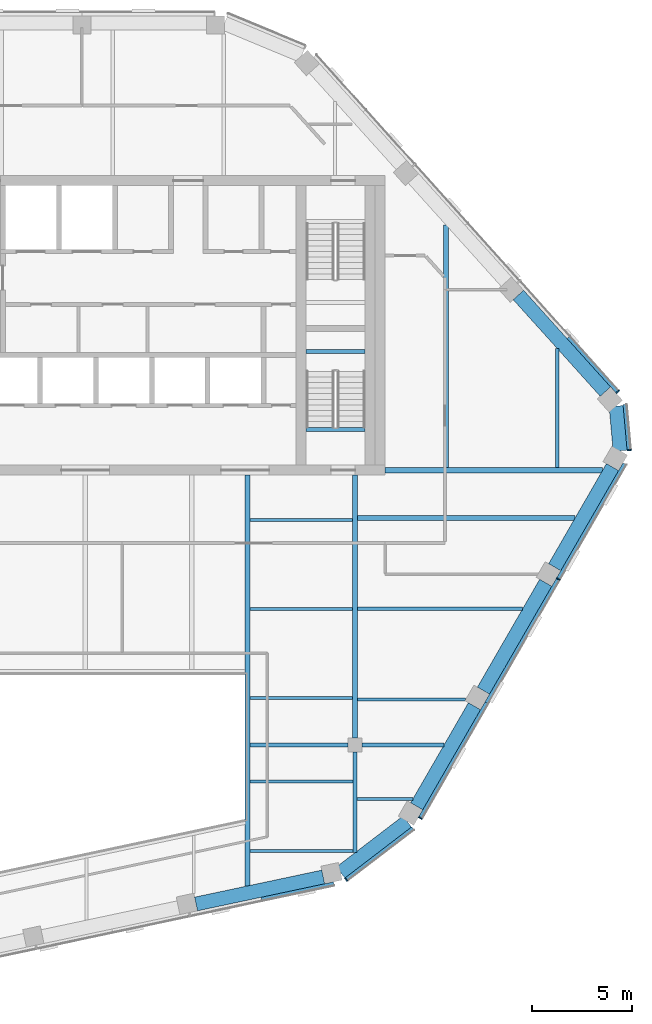
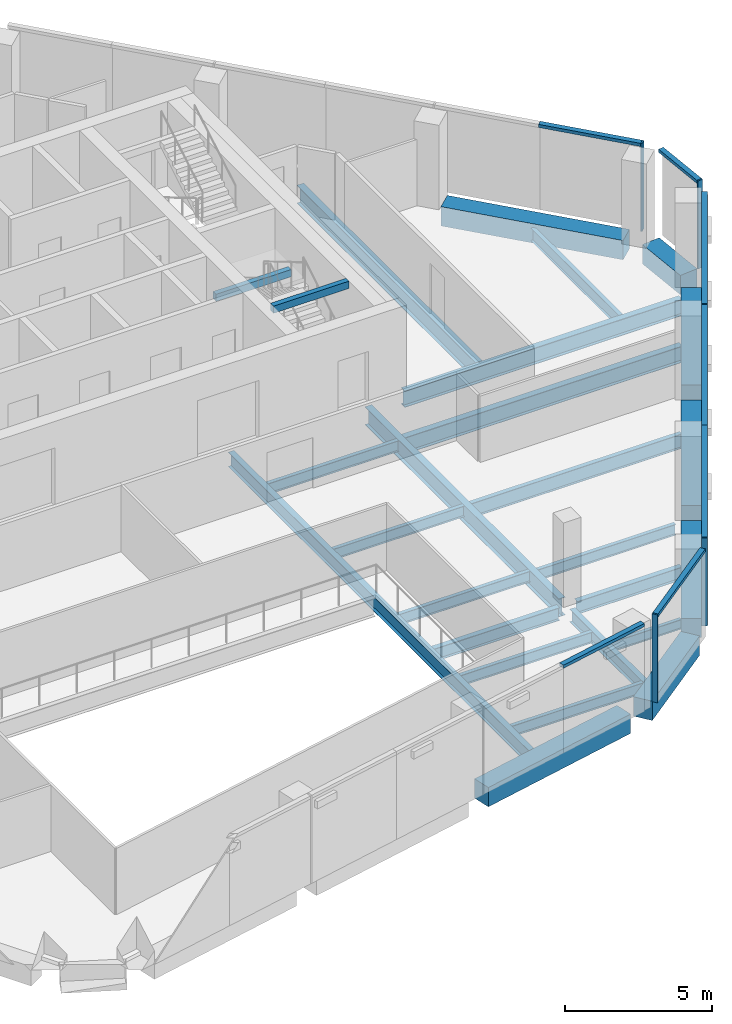
# One storey, part 4 of 15: 26 beams, 12 members, 5 elements without a shape of their own.
"""IFC4 building model written with IfcOpenShell, lengths in metres."""

from ifc_helpers import new_model, si_unit, direction, frame, origin, origin_2d, place, context, subcontext, project, spatial, rectangle, i_section, extrude, material, layer, layer_set, material_profile, profile_set, type_object, element, aggregate, save


model = new_model("IFC4")

# Units and contexts
model_context = context("Model", 3, precision=1e-05, world=origin(), true_north=direction((0.0, 1.0)))
body_context = subcontext(model_context, "Body", "Model", "MODEL_VIEW")
ifc_project = project(units=[si_unit("LENGTHUNIT", "METRE"), si_unit("AREAUNIT", "SQUARE_METRE"), si_unit("VOLUMEUNIT", "CUBIC_METRE"), si_unit("PLANEANGLEUNIT", "RADIAN"), si_unit("MASSUNIT", "GRAM", prefix="KILO")], contexts=[model_context])

# Site, building, storey
site_placement = place(None, origin())
site = spatial("IfcSite", under=ifc_project, at=site_placement, CompositionType="ELEMENT")
building_placement = place(site_placement, origin())
building = spatial("IfcBuilding", under=site, at=building_placement, Name="Isthmus Gate Tower", CompositionType="ELEMENT")
storey_placement = place(building_placement, frame((0.0, 0.0, 290.14990234375)))
storey = spatial("IfcBuildingStorey", under=building, at=storey_placement, Name="L74", CompositionType="ELEMENT", Elevation=290.14990234375)

# Curtain wall, member
ifc_material_1 = material(Name="Aluminium, pale champagne anodised", Category="aluminium")
ifc_layer = layer(ifc_material_1, 0.199951171875)
ifc_layer_set = layer_set([ifc_layer], Name="CW-1 UNITISED CURTAIN WALL 200 DEEP")
curtain_wall_type = type_object("IfcCurtainWallType", Name="CW-1 UNITISED CURTAIN WALL 200 DEEP", PredefinedType="NOTDEFINED", material=ifc_layer_set)
curtain_wall_1_placement = place(storey_placement, origin())
curtain_wall_1 = element("IfcCurtainWall", 1, at=curtain_wall_1_placement, inside=storey, type_object=curtain_wall_type, Name="CW-1 S-SE L74", PredefinedType="NOTDEFINED")
ifc_material_2 = material(Name="Aluminium, pale champagne anodised", Category="aluminium")
ifc_material_profile_1 = material_profile(ifc_material_2, rectangle(XDim=0.06005859375, YDim=0.199951171875, at=origin_2d()), Name="60x200")
ifc_profile_set_1 = profile_set([ifc_material_profile_1], Name="Aluminium, pale champagne anodised")
member_type_1 = type_object("IfcMemberType", Name="CW-1 MULLION 60 X 200", PredefinedType="MULLION", material=ifc_profile_set_1)
member_1_placement = place(storey_placement, frame((13.055908203125, -20.241455078125, 0.0), z_axis=(0.0, 0.0, 1.0), x_axis=(0.794188594387, 0.607671355706, 0.0)))
member_1 = element("IfcMember", 2, at=member_1_placement, type_object=member_type_1, Name="CW-1 mullion", PredefinedType="MULLION", context=body_context, shape_type="SweptSolid", body=[
    extrude(rectangle(XDim=0.06005859375, YDim=0.199951171875, at=origin_2d()), origin(), (0.0, 0.0, 1.0), 3.650146484375),
])

# Curtain wall, members
curtain_wall_2_placement = place(storey_placement, origin())
curtain_wall_2 = element("IfcCurtainWall", 3, at=curtain_wall_2_placement, inside=storey, type_object=curtain_wall_type, Name="CW-1 SE L74", PredefinedType="NOTDEFINED")
member_2_placement = place(storey_placement, frame((16.765380859375, -17.161376953125, 0.0), z_axis=(0.0, 0.0, 1.0), x_axis=(0.5, 0.866025403784, 0.0)))
member_2 = element("IfcMember", 4, at=member_2_placement, type_object=member_type_1, Name="CW-1 mullion", PredefinedType="MULLION", context=body_context, shape_type="SweptSolid", body=[
    extrude(rectangle(XDim=0.06005859375, YDim=0.199951171875, at=origin_2d()), origin(), (0.0, 0.0, 1.0), 3.650146484375),
])
member_3_placement = place(storey_placement, frame((23.675048828125, -5.193603515625, 0.0), z_axis=(0.0, 0.0, 1.0), x_axis=(0.5, 0.866025403784, 0.0)))
member_3 = element("IfcMember", 5, at=member_3_placement, type_object=member_type_1, Name="CW-1 mullion", PredefinedType="MULLION", context=body_context, shape_type="SweptSolid", body=[
    extrude(rectangle(XDim=0.06005859375, YDim=0.199951171875, at=origin_2d()), origin(), (0.0, 0.0, 1.0), 3.650146484375),
])

# Curtain wall, member
curtain_wall_3_placement = place(storey_placement, origin())
curtain_wall_3 = element("IfcCurtainWall", 6, at=curtain_wall_3_placement, inside=storey, type_object=curtain_wall_type, Name="CW-1 SE-NE L74", PredefinedType="NOTDEFINED")
member_4_placement = place(storey_placement, frame((27.21875, 1.258056640625, 0.0), z_axis=(0.0, 0.0, 1.0), x_axis=(-0.089396669717, 0.995996102123, 0.0)))
member_4 = element("IfcMember", 7, at=member_4_placement, type_object=member_type_1, Name="CW-1 mullion", PredefinedType="MULLION", context=body_context, shape_type="SweptSolid", body=[
    extrude(rectangle(XDim=0.06005859375, YDim=0.199951171875, at=origin_2d()), origin(), (0.0, 0.0, 1.0), 3.650146484375),
])

curtain_wall_4_placement = place(storey_placement, origin())
curtain_wall_4 = element("IfcCurtainWall", 8, at=curtain_wall_4_placement, inside=storey, type_object=curtain_wall_type, Name="CW-1 NE L74", PredefinedType="NOTDEFINED")
member_5_placement = place(storey_placement, frame((26.6474609375, 4.17626953125, 0.0), z_axis=(0.0, 0.0, 1.0), x_axis=(-0.669130606359, 0.743144825477, 0.0)))
member_5 = element("IfcMember", 9, at=member_5_placement, type_object=member_type_1, Name="CW-1 mullion", PredefinedType="MULLION", context=body_context, shape_type="SweptSolid", body=[
    extrude(rectangle(XDim=0.06005859375, YDim=0.199951171875, at=origin_2d()), origin(), (0.0, 0.0, 1.0), 3.650146484375),
])

curtain_wall_5_placement = place(storey_placement, origin())
curtain_wall_5 = element("IfcCurtainWall", 10, at=curtain_wall_5_placement, inside=storey, type_object=curtain_wall_type, Name="CW-1 S L74", PredefinedType="NOTDEFINED")
ifc_material_3 = material(Name="Aluminium, pale champagne anodised", Category="aluminium")
ifc_material_profile_2 = material_profile(ifc_material_3, rectangle(XDim=0.199951171875, YDim=0.1298828125, at=origin_2d()), Name="200x130")
ifc_profile_set_2 = profile_set([ifc_material_profile_2], Name="Aluminium, pale champagne anodised")
member_type_2 = type_object("IfcMemberType", Name="CW-1 TRANSOM 200 X 130", PredefinedType="USERDEFINED", material=ifc_profile_set_2)
member_6_placement = place(storey_placement, frame((8.816162109375, -21.228271484375, 3.585205078125), z_axis=(0.978146451283, 0.207917098487, 0.0), x_axis=(-0.207917098487, 0.978146451283, 0.0)))
member_6 = element("IfcMember", 11, at=member_6_placement, type_object=member_type_2, Name="CW-1 transom", ObjectType="TRANSOM", PredefinedType="USERDEFINED", context=body_context, shape_type="SweptSolid", body=[
    extrude(rectangle(XDim=0.199951171875, YDim=0.1298828125, at=origin_2d()), origin(), (0.0, 0.0, 1.0), 3.70361328125),
])
aggregate(curtain_wall_5, [member_6])

# Member
member_7_placement = place(storey_placement, frame((13.07958984375, -20.22314453125, 3.585205078125), z_axis=(0.794225234414, 0.607623466482, 0.0), x_axis=(-0.607623466482, 0.794225234414, 0.0)))
member_7 = element("IfcMember", 12, at=member_7_placement, type_object=member_type_2, Name="CW-1 transom", ObjectType="TRANSOM", PredefinedType="USERDEFINED", context=body_context, shape_type="SweptSolid", body=[
    extrude(rectangle(XDim=0.199951171875, YDim=0.1298828125, at=origin_2d()), origin(), (0.0, 0.0, 1.0), 4.181396484375),
])

aggregate(curtain_wall_1, [member_1, member_7])

member_8_placement = place(storey_placement, frame((16.780517578125, -17.135498046875, 3.585205078125), z_axis=(0.49999574405, 0.866027860944, 0.0), x_axis=(-0.866027860944, 0.49999574405, 0.0)))
member_8 = element("IfcMember", 13, at=member_8_placement, type_object=member_type_2, Name="CW-1 transom", ObjectType="TRANSOM", PredefinedType="USERDEFINED", context=body_context, shape_type="SweptSolid", body=[
    extrude(rectangle(XDim=0.199951171875, YDim=0.1298828125, at=origin_2d()), origin(), (0.0, 0.0, 1.0), 6.62451171875),
])

member_9_placement = place(storey_placement, frame((20.0927734375, -11.3984375, 3.585205078125), z_axis=(0.499985098601, 0.86603400694, 0.0), x_axis=(-0.86603400694, 0.499985098601, 0.0)))
member_9 = element("IfcMember", 14, at=member_9_placement, type_object=member_type_2, Name="CW-1 transom", ObjectType="TRANSOM", PredefinedType="USERDEFINED", context=body_context, shape_type="SweptSolid", body=[
    extrude(rectangle(XDim=0.199951171875, YDim=0.1298828125, at=origin_2d()), origin(), (0.0, 0.0, 1.0), 7.134521484375),
])

member_10_placement = place(storey_placement, frame((23.68994140625, -5.167724609375, 3.585205078125), z_axis=(0.49999574405, 0.866027860944, 0.0), x_axis=(-0.866027860944, 0.49999574405, 0.0)))
member_10 = element("IfcMember", 15, at=member_10_placement, type_object=member_type_2, Name="CW-1 transom", ObjectType="TRANSOM", PredefinedType="USERDEFINED", context=body_context, shape_type="SweptSolid", body=[
    extrude(rectangle(XDim=0.199951171875, YDim=0.1298828125, at=origin_2d()), origin(), (0.0, 0.0, 1.0), 6.62451171875),
])

aggregate(curtain_wall_2, [member_2, member_8, member_9, member_3, member_10])

member_11_placement = place(storey_placement, frame((27.216064453125, 1.287841796875, 3.585205078125), z_axis=(-0.089395362867, 0.995996219419, 0.0), x_axis=(-0.995996219419, -0.089395362867, 0.0)))
member_11 = element("IfcMember", 16, at=member_11_placement, type_object=member_type_2, Name="CW-1 transom", ObjectType="TRANSOM", PredefinedType="USERDEFINED", context=body_context, shape_type="SweptSolid", body=[
    extrude(rectangle(XDim=0.199951171875, YDim=0.1298828125, at=origin_2d()), origin(), (0.0, 0.0, 1.0), 2.258544921875),
])

aggregate(curtain_wall_3, [member_4, member_11])

member_12_placement = place(storey_placement, frame((26.62744140625, 4.198486328125, 3.585205078125), z_axis=(-0.669149818044, 0.743127526749, 0.0), x_axis=(-0.743127526749, -0.669149818044, 0.0)))
member_12 = element("IfcMember", 17, at=member_12_placement, type_object=member_type_2, Name="CW-1 transom", ObjectType="TRANSOM", PredefinedType="USERDEFINED", context=body_context, shape_type="SweptSolid", body=[
    extrude(rectangle(XDim=0.199951171875, YDim=0.1298828125, at=origin_2d()), origin(), (0.0, 0.0, 1.0), 3.643310546875),
])

aggregate(curtain_wall_4, [member_5, member_12])

# Beams
ifc_material_4 = material(Name="Concrete f'c 50 MPa", Category="concrete")
ifc_material_profile_3 = material_profile(ifc_material_4, rectangle(XDim=0.699951171875, YDim=0.800048828125, at=origin_2d()), Name="RC 700X800")
ifc_profile_set_3 = profile_set([ifc_material_profile_3], Name="Concrete f'c 50 MPa")
beam_type_1 = type_object("IfcBeamType", Name="RC SPANDREL 700 X 800", PredefinedType="SPANDREL", material=ifc_profile_set_3)
beam_1_placement = place(storey_placement, frame((21.67822265625, 9.022705078125, -0.39990234375), z_axis=(0.669122265754, -0.743152335307, 0.0), x_axis=(0.743152335307, 0.669122265754, 0.0)))
element("IfcBeam", 18, at=beam_1_placement, inside=storey, type_object=beam_type_1, Name="str-spandrel-L74-03", PredefinedType="SPANDREL", context=body_context, shape_type="SweptSolid", body=[
    extrude(rectangle(XDim=0.699951171875, YDim=0.800048828125, at=origin_2d()), origin(), (0.0, 0.0, 1.0), 6.506591796875),
])
beam_2_placement = place(storey_placement, frame((26.5693359375, 3.459716796875, -0.39990234375), z_axis=(0.089359478208, -0.995999439585, 0.0), x_axis=(0.995999439585, 0.089359478208, 0.0)))
element("IfcBeam", 19, at=beam_2_placement, inside=storey, type_object=beam_type_1, Name="str-spandrel-L74-04", PredefinedType="SPANDREL", context=body_context, shape_type="SweptSolid", body=[
    extrude(rectangle(XDim=0.699951171875, YDim=0.800048828125, at=origin_2d()), origin(), (0.0, 0.0, 1.0), 2.245849609375),
])
beam_3_placement = place(storey_placement, frame((26.387451171875, 0.404541015625, -0.39990234375), z_axis=(-0.499979418648, -0.866037286108, 0.0), x_axis=(0.866037286108, -0.499979418648, 0.0)))
element("IfcBeam", 20, at=beam_3_placement, inside=storey, type_object=beam_type_1, Name="str-spandrel-L74-05", PredefinedType="SPANDREL", context=body_context, shape_type="SweptSolid", body=[
    extrude(rectangle(XDim=0.699951171875, YDim=0.800048828125, at=origin_2d()), origin(), (0.0, 0.0, 1.0), 5.784423828125),
])
beam_4_placement = place(storey_placement, frame((23.045166015625, -5.384521484375, -0.39990234375), z_axis=(-0.499997027648, -0.866027119866, 0.0), x_axis=(0.866027119866, -0.499997027648, 0.0)))
element("IfcBeam", 21, at=beam_4_placement, inside=storey, type_object=beam_type_1, Name="str-spandrel-L74-06", PredefinedType="SPANDREL", context=body_context, shape_type="SweptSolid", body=[
    extrude(rectangle(XDim=0.699951171875, YDim=0.800048828125, at=origin_2d()), origin(), (0.0, 0.0, 1.0), 6.234375),
])
beam_5_placement = place(storey_placement, frame((19.47802734375, -11.56298828125, -0.39990234375), z_axis=(-0.499992798144, -0.866029561738, 0.0), x_axis=(0.866029561738, -0.499992798144, 0.0)))
element("IfcBeam", 22, at=beam_5_placement, inside=storey, type_object=beam_type_1, Name="str-spandrel-L74-07", PredefinedType="SPANDREL", context=body_context, shape_type="SweptSolid", body=[
    extrude(rectangle(XDim=0.699951171875, YDim=0.800048828125, at=origin_2d()), origin(), (0.0, 0.0, 1.0), 5.78466796875),
])
beam_6_placement = place(storey_placement, frame((16.110595703125, -17.337646484375, -0.39990234375), z_axis=(-0.794204252251, -0.607650891307, 0.0), x_axis=(0.607650891307, -0.794204252251, 0.0)))
element("IfcBeam", 23, at=beam_6_placement, inside=storey, type_object=beam_type_1, Name="str-spandrel-L74-08", PredefinedType="SPANDREL", context=body_context, shape_type="SweptSolid", body=[
    extrude(rectangle(XDim=0.699951171875, YDim=0.800048828125, at=origin_2d()), origin(), (0.0, 0.0, 1.0), 4.197021484375),
])
beam_7_placement = place(storey_placement, frame((11.90478515625, -20.11181640625, -0.39990234375), z_axis=(-0.978148646173, -0.207906772352, 0.0), x_axis=(0.207906772352, -0.978148646173, 0.0)))
element("IfcBeam", 24, at=beam_7_placement, inside=storey, type_object=beam_type_1, Name="str-spandrel-L74-09", PredefinedType="SPANDREL", context=body_context, shape_type="SweptSolid", body=[
    extrude(rectangle(XDim=0.699951171875, YDim=0.800048828125, at=origin_2d()), origin(), (0.0, 0.0, 1.0), 6.506591796875),
])
ifc_material_5 = material(Name="Concrete f'c 40 MPa", Category="concrete")
ifc_material_profile_4 = material_profile(ifc_material_5, rectangle(XDim=0.199951171875, YDim=0.300048828125, at=origin_2d()), Name="STAIR LANDING BEAM RC 200 X 300")
ifc_profile_set_4 = profile_set([ifc_material_profile_4], Name="Concrete f'c 40 MPa")
beam_type_2 = type_object("IfcBeamType", Name="STAIR LANDING BEAM RC 200 X 300", PredefinedType="BEAM", material=ifc_profile_set_4)
for number, where, z_axis, x_axis, name in (
    (25, (11.050048828125, 6.199951171875, 1.47509765625), (1.0, 0.0, 0.0), (0.0, 1.0, 0.0), "L74 ST8 landing beam 1"),
    (26, (11.050048828125, 2.2998046875, 3.35009765625), (1.0, 0.0, 0.0), (0.0, 1.0, 0.0), "L74 ST8 floor-edge seat beam"),
):
    element("IfcBeam", number, at=place(storey_placement, frame(where, z_axis=z_axis, x_axis=x_axis)), inside=storey, type_object=beam_type_2, Name=name, PredefinedType="BEAM", context=body_context, shape_type="SweptSolid", body=[
        extrude(rectangle(XDim=0.199951171875, YDim=0.300048828125, at=origin_2d()), origin(), (0.0, 0.0, 1.0), 2.949951171875),
    ])
ifc_material_6 = material(Name="Structural steel ASTM A992 Gr 50", Category="steel")
ifc_material_profile_5 = material_profile(ifc_material_6, i_section(OverallWidth=0.1396484375, OverallDepth=0.4033203125, WebThickness=0.00634765625, FlangeThickness=0.010986328125, at=origin_2d()), Name="W16X31")
ifc_profile_set_5 = profile_set([ifc_material_profile_5], Name="Structural steel ASTM A992 Gr 50")
beam_type_3 = type_object("IfcBeamType", Name="STEEL FLOOR BEAM W16X31", PredefinedType="JOIST", material=ifc_profile_set_5)
beam_8_placement = place(storey_placement, frame((13.604736328125, -16.20947265625, -0.3515625), z_axis=(1.0, 0.0, 0.0), x_axis=(0.0, 1.0, 0.0)))
element("IfcBeam", 27, at=beam_8_placement, inside=storey, type_object=beam_type_3, Name="str-beam-L74-11-00", PredefinedType="JOIST", context=body_context, shape_type="SweptSolid", body=[
    extrude(i_section(OverallWidth=0.1396484375, OverallDepth=0.4033203125, WebThickness=0.00634765625, FlangeThickness=0.010986328125, at=origin_2d()), origin(), (0.0, 0.0, 1.0), 2.78662109375),
])
ifc_material_7 = material(Name="Structural steel ASTM A992 Gr 50", Category="steel")
ifc_material_profile_6 = material_profile(ifc_material_7, i_section(OverallWidth=0.15234375, OverallDepth=0.45068359375, WebThickness=0.0078125, FlangeThickness=0.010986328125, at=origin_2d()), Name="W18X35")
ifc_profile_set_6 = profile_set([ifc_material_profile_6], Name="Structural steel ASTM A992 Gr 50")
beam_type_4 = type_object("IfcBeamType", Name="STEEL FLOOR BEAM W18X35", PredefinedType="JOIST", material=ifc_profile_set_6)
for number, where, z_axis, x_axis, name in (
    (28, (8.228515625, -18.802734375, -0.375244140625), (1.0, 0.0, 0.0), (0.0, 1.0, 0.0), "str-beam-L74-09-00"),
    (29, (8.228515625, -15.33740234375, -0.375244140625), (1.0, 0.0, 0.0), (0.0, 1.0, 0.0), "str-beam-L74-09-01"),
):
    element("IfcBeam", number, at=place(storey_placement, frame(where, z_axis=z_axis, x_axis=x_axis)), inside=storey, type_object=beam_type_4, Name=name, PredefinedType="JOIST", context=body_context, shape_type="SweptSolid", body=[
        extrude(i_section(OverallWidth=0.15234375, OverallDepth=0.45068359375, WebThickness=0.0078125, FlangeThickness=0.010986328125, at=origin_2d()), origin(), (0.0, 0.0, 1.0), 5.166748046875),
    ])
for number, where, z_axis, x_axis, name in (
    (30, (8.228515625, -11.16259765625, -0.375244140625), (1.0, 0.0, 0.0), (0.0, 1.0, 0.0), "str-beam-L74-10-00"),
    (31, (8.228515625, -6.697509765625, -0.375244140625), (1.0, 0.0, 0.0), (0.0, 1.0, 0.0), "str-beam-L74-10-01"),
    (32, (8.228515625, -2.232421875, -0.375244140625), (1.0, 0.0, 0.0), (0.0, 1.0, 0.0), "str-beam-L74-10-02"),
):
    element("IfcBeam", number, at=place(storey_placement, frame(where, z_axis=z_axis, x_axis=x_axis)), inside=storey, type_object=beam_type_4, Name=name, PredefinedType="JOIST", context=body_context, shape_type="SweptSolid", body=[
        extrude(i_section(OverallWidth=0.15234375, OverallDepth=0.45068359375, WebThickness=0.0078125, FlangeThickness=0.010986328125, at=origin_2d()), origin(), (0.0, 0.0, 1.0), 5.1396484375),
    ])
beam_9_placement = place(storey_placement, frame((13.6318359375, -11.2294921875, -0.375244140625), z_axis=(1.0, 0.0, 0.0), x_axis=(0.0, 1.0, 0.0)))
element("IfcBeam", 33, at=beam_9_placement, inside=storey, type_object=beam_type_4, Name="str-beam-L74-12-00", PredefinedType="JOIST", context=body_context, shape_type="SweptSolid", body=[
    extrude(i_section(OverallWidth=0.15234375, OverallDepth=0.45068359375, WebThickness=0.0078125, FlangeThickness=0.010986328125, at=origin_2d()), origin(), (0.0, 0.0, 1.0), 5.40380859375),
])
ifc_material_8 = material(Name="Structural steel ASTM A992 Gr 50", Category="steel")
ifc_material_profile_7 = material_profile(ifc_material_8, i_section(OverallWidth=0.1650390625, OverallDepth=0.52392578125, WebThickness=0.009521484375, FlangeThickness=0.010986328125, at=origin_2d()), Name="W21X44")
ifc_profile_set_7 = profile_set([ifc_material_profile_7], Name="Structural steel ASTM A992 Gr 50")
beam_type_5 = type_object("IfcBeamType", Name="STEEL FLOOR BEAM W21X44", PredefinedType="JOIST", material=ifc_profile_set_7)
beam_10_placement = place(storey_placement, frame((23.61865234375, 0.376953125, -0.411865234375), z_axis=(0.0, 1.0, 0.0), x_axis=(-1.0, 0.0, 0.0)))
element("IfcBeam", 34, at=beam_10_placement, inside=storey, type_object=beam_type_5, Name="str-beam-L74-07-07", PredefinedType="JOIST", context=body_context, shape_type="SweptSolid", body=[
    extrude(i_section(OverallWidth=0.1650390625, OverallDepth=0.52392578125, WebThickness=0.009521484375, FlangeThickness=0.010986328125, at=origin_2d()), origin(), (0.0, 0.0, 1.0), 5.967529296875),
])
ifc_material_9 = material(Name="Structural steel ASTM A992 Gr 50", Category="steel")
ifc_material_profile_8 = material_profile(ifc_material_9, i_section(OverallWidth=0.177734375, OverallDepth=0.60009765625, WebThickness=0.009521484375, FlangeThickness=0.0126953125, at=origin_2d()), Name="W24X55")
ifc_profile_set_8 = profile_set([ifc_material_profile_8], Name="Structural steel ASTM A992 Gr 50")
beam_type_6 = type_object("IfcBeamType", Name="STEEL FLOOR BEAM W24X55", PredefinedType="JOIST", material=ifc_profile_set_8)
beam_11_placement = place(storey_placement, frame((13.6318359375, -6.6884765625, -0.449951171875), z_axis=(1.0, 0.0, 0.0), x_axis=(0.0, 1.0, 0.0)))
element("IfcBeam", 35, at=beam_11_placement, inside=storey, type_object=beam_type_6, Name="str-beam-L74-12-01", PredefinedType="JOIST", context=body_context, shape_type="SweptSolid", body=[
    extrude(i_section(OverallWidth=0.177734375, OverallDepth=0.60009765625, WebThickness=0.009521484375, FlangeThickness=0.0126953125, at=origin_2d()), origin(), (0.0, 0.0, 1.0), 8.25634765625),
])
ifc_material_10 = material(Name="Structural steel ASTM A992 Gr 50", Category="steel")
ifc_material_profile_9 = material_profile(ifc_material_10, i_section(OverallWidth=0.25390625, OverallDepth=0.679443359375, WebThickness=0.010986328125, FlangeThickness=0.015869140625, at=origin_2d()), Name="W27X84")
ifc_profile_set_9 = profile_set([ifc_material_profile_9], Name="Structural steel ASTM A992 Gr 50")
beam_type_7 = type_object("IfcBeamType", Name="STEEL FLOOR BEAM W27X84", PredefinedType="JOIST", material=ifc_profile_set_9)
beam_12_placement = place(storey_placement, frame((13.6318359375, -2.1474609375, -0.489501953125), z_axis=(1.0, 0.0, 0.0), x_axis=(0.0, 1.0, 0.0)))
element("IfcBeam", 36, at=beam_12_placement, inside=storey, type_object=beam_type_7, Name="str-beam-L74-12-02", PredefinedType="JOIST", context=body_context, shape_type="SweptSolid", body=[
    extrude(i_section(OverallWidth=0.25390625, OverallDepth=0.679443359375, WebThickness=0.010986328125, FlangeThickness=0.015869140625, at=origin_2d()), origin(), (0.0, 0.0, 1.0), 10.878173828125),
])
ifc_material_11 = material(Name="Structural steel ASTM A992 Gr 50", Category="steel")
ifc_material_profile_10 = material_profile(ifc_material_11, i_section(OverallWidth=0.263427734375, OverallDepth=0.749267578125, WebThickness=0.0126953125, FlangeThickness=0.015869140625, at=origin_2d()), Name="W30X90")
ifc_profile_set_10 = profile_set([ifc_material_profile_10], Name="Structural steel ASTM A992 Gr 50")
beam_type_8 = type_object("IfcBeamType", Name="STEEL FLOOR BEAM W30X90", PredefinedType="JOIST", material=ifc_profile_set_10)
beam_13_placement = place(storey_placement, frame((18.05712890625, 0.376953125, -0.524658203125), z_axis=(0.0, 1.0, 0.0), x_axis=(-1.0, 0.0, 0.0)))
element("IfcBeam", 37, at=beam_13_placement, inside=storey, type_object=beam_type_8, Name="str-beam-L74-07-06", PredefinedType="JOIST", context=body_context, shape_type="SweptSolid", body=[
    extrude(i_section(OverallWidth=0.263427734375, OverallDepth=0.749267578125, WebThickness=0.0126953125, FlangeThickness=0.015869140625, at=origin_2d()), origin(), (0.0, 0.0, 1.0), 12.144287109375),
])
ifc_material_12 = material(Name="Structural steel ASTM A992 Gr 50", Category="steel")
ifc_material_profile_11 = material_profile(ifc_material_12, i_section(OverallWidth=0.20947265625, OverallDepth=0.533447265625, WebThickness=0.009521484375, FlangeThickness=0.015869140625, at=origin_2d()), Name="W21X62")
ifc_profile_set_11 = profile_set([ifc_material_profile_11], Name="Structural steel ASTM A992 Gr 50")
beam_type_9 = type_object("IfcBeamType", Name="STEEL GIRDER W21X62", PredefinedType="BEAM", material=ifc_profile_set_11)
beam_14_placement = place(storey_placement, frame((8.228515625, -13.5, -0.41650390625), z_axis=(1.0, 0.0, 0.0), x_axis=(0.0, 1.0, 0.0)))
element("IfcBeam", 38, at=beam_14_placement, inside=storey, type_object=beam_type_9, Name="str-girder-L74-03", PredefinedType="BEAM", context=body_context, shape_type="SweptSolid", body=[
    extrude(i_section(OverallWidth=0.20947265625, OverallDepth=0.533447265625, WebThickness=0.009521484375, FlangeThickness=0.015869140625, at=origin_2d()), origin(), (0.0, 0.0, 1.0), 4.92138671875),
])
beam_15_placement = place(storey_placement, frame((13.85009765625, -13.5, -0.41650390625), z_axis=(1.0, 0.0, 0.0), x_axis=(0.0, 1.0, 0.0)))
element("IfcBeam", 39, at=beam_15_placement, inside=storey, type_object=beam_type_9, Name="str-girder-L74-04", PredefinedType="BEAM", context=body_context, shape_type="SweptSolid", body=[
    extrude(i_section(OverallWidth=0.20947265625, OverallDepth=0.533447265625, WebThickness=0.009521484375, FlangeThickness=0.015869140625, at=origin_2d()), origin(), (0.0, 0.0, 1.0), 4.10546875),
])
beam_16_placement = place(storey_placement, frame((13.5, -18.894287109375, -0.41650390625), z_axis=(0.0, 1.0, 0.0), x_axis=(-1.0, 0.0, 0.0)))
element("IfcBeam", 40, at=beam_16_placement, inside=storey, type_object=beam_type_9, Name="str-girder-L74-07", PredefinedType="BEAM", context=body_context, shape_type="SweptSolid", body=[
    extrude(i_section(OverallWidth=0.20947265625, OverallDepth=0.533447265625, WebThickness=0.009521484375, FlangeThickness=0.015869140625, at=origin_2d()), origin(), (0.0, 0.0, 1.0), 5.044189453125),
])
ifc_material_13 = material(Name="Structural steel ASTM A992 Gr 50", Category="steel")
ifc_material_profile_12 = material_profile(ifc_material_13, i_section(OverallWidth=0.25390625, OverallDepth=0.679443359375, WebThickness=0.010986328125, FlangeThickness=0.015869140625, at=origin_2d()), Name="W27X84")
ifc_profile_set_12 = profile_set([ifc_material_profile_12], Name="Structural steel ASTM A992 Gr 50")
beam_type_10 = type_object("IfcBeamType", Name="STEEL GIRDER W27X84", PredefinedType="BEAM", material=ifc_profile_set_12)
beam_17_placement = place(storey_placement, frame((15.0, 0.25, -0.489501953125), z_axis=(1.0, 0.0, 0.0), x_axis=(0.0, 1.0, 0.0)))
element("IfcBeam", 41, at=beam_17_placement, inside=storey, type_object=beam_type_10, Name="str-girder-L74-10", PredefinedType="BEAM", context=body_context, shape_type="SweptSolid", body=[
    extrude(i_section(OverallWidth=0.25390625, OverallDepth=0.679443359375, WebThickness=0.010986328125, FlangeThickness=0.015869140625, at=origin_2d()), origin(), (0.0, 0.0, 1.0), 10.89404296875),
])
ifc_material_14 = material(Name="Structural steel ASTM A992 Gr 50", Category="steel")
ifc_material_profile_13 = material_profile(ifc_material_14, i_section(OverallWidth=0.263427734375, OverallDepth=0.749267578125, WebThickness=0.0126953125, FlangeThickness=0.015869140625, at=origin_2d()), Name="W30X90")
ifc_profile_set_13 = profile_set([ifc_material_profile_13], Name="Structural steel ASTM A992 Gr 50")
beam_type_11 = type_object("IfcBeamType", Name="STEEL GIRDER W30X90", PredefinedType="BEAM", material=ifc_profile_set_13)
beam_18_placement = place(storey_placement, frame((13.5, -13.14990234375, -0.524658203125), z_axis=(0.0, 1.0, 0.0), x_axis=(-1.0, 0.0, 0.0)))
element("IfcBeam", 42, at=beam_18_placement, inside=storey, type_object=beam_type_11, Name="str-girder-L74-08", PredefinedType="BEAM", context=body_context, shape_type="SweptSolid", body=[
    extrude(i_section(OverallWidth=0.263427734375, OverallDepth=0.749267578125, WebThickness=0.0126953125, FlangeThickness=0.015869140625, at=origin_2d()), origin(), (0.0, 0.0, 1.0), 13.14990234375),
])
ifc_material_15 = material(Name="Structural steel ASTM A992 Gr 50", Category="steel")
ifc_material_profile_14 = material_profile(ifc_material_15, i_section(OverallWidth=0.228515625, OverallDepth=0.603271484375, WebThickness=0.010986328125, FlangeThickness=0.014404296875, at=origin_2d()), Name="W24X68")
ifc_profile_set_14 = profile_set([ifc_material_profile_14], Name="Structural steel ASTM A992 Gr 50")
beam_type_12 = type_object("IfcBeamType", Name="STEEL TRIMMER W24X68", PredefinedType="BEAM", material=ifc_profile_set_14)
beam_19_placement = place(storey_placement, frame((8.1142578125, -20.5595703125, -0.451416015625), z_axis=(0.0, 1.0, 0.0), x_axis=(-1.0, 0.0, 0.0)))
element("IfcBeam", 43, at=beam_19_placement, inside=storey, type_object=beam_type_12, Name="str-trimmer-L74-01", PredefinedType="BEAM", context=body_context, shape_type="SweptSolid", body=[
    extrude(i_section(OverallWidth=0.228515625, OverallDepth=0.603271484375, WebThickness=0.010986328125, FlangeThickness=0.014404296875, at=origin_2d()), origin(), (0.0, 0.0, 1.0), 20.5595703125),
])

save(model, "model.ifc")
